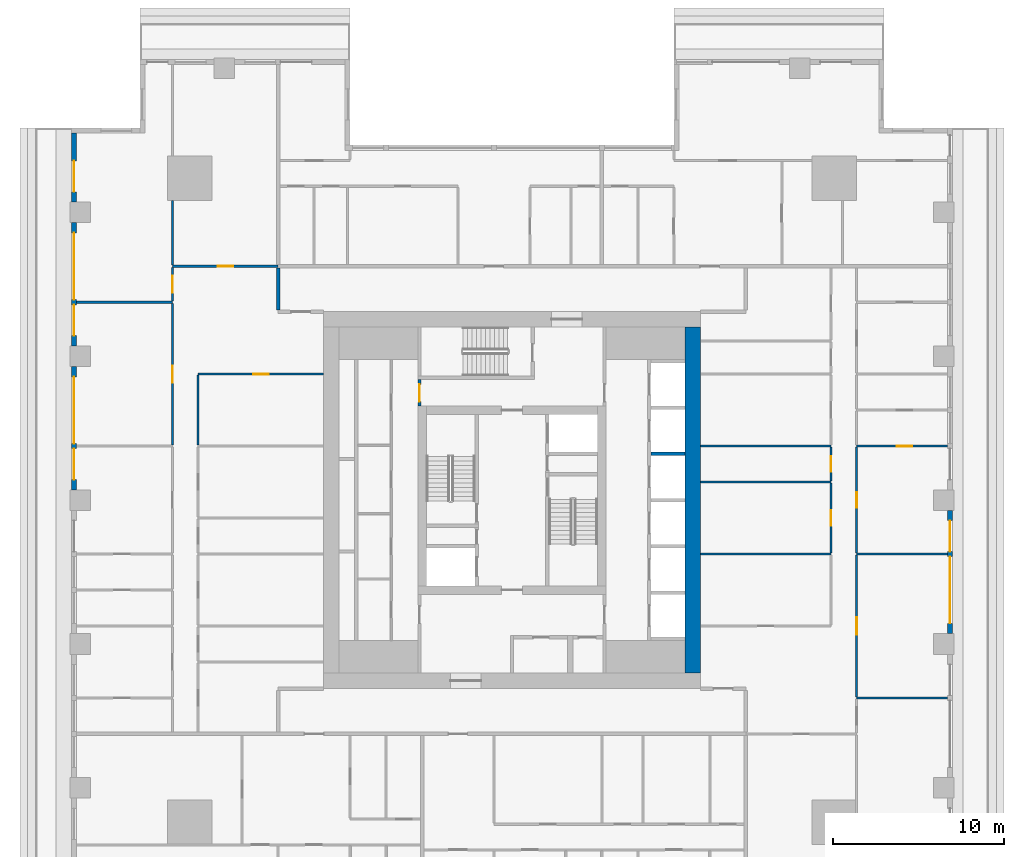
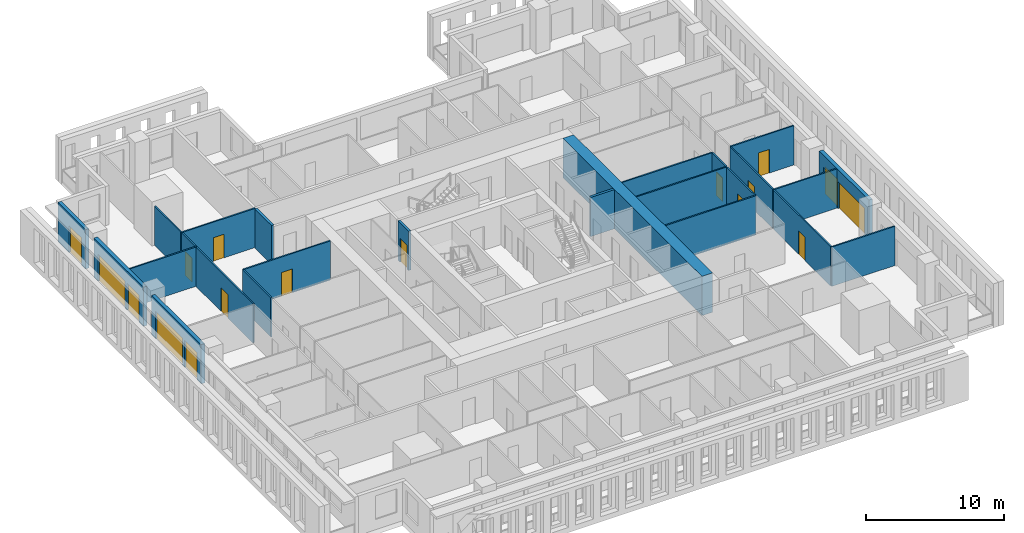
# One storey, part 6 of 15: 25 walls, 17 doors, 17 openings.
"""IFC4 building model written with IfcOpenShell, lengths in metres."""

from ifc_helpers import new_model, si_unit, direction, frame, frame_2d, origin, place, context, subcontext, project, spatial, rectangle, extrude, material, layer, layer_set, type_object, element, fill, save


model = new_model("IFC4")

# Units and contexts
model_context = context("Model", 3, precision=1e-05, world=origin(), true_north=direction((0.0, 1.0)))
body_context = subcontext(model_context, "Body", "Model", "MODEL_VIEW")
ifc_project = project(units=[si_unit("LENGTHUNIT", "METRE"), si_unit("AREAUNIT", "SQUARE_METRE"), si_unit("VOLUMEUNIT", "CUBIC_METRE"), si_unit("PLANEANGLEUNIT", "RADIAN"), si_unit("MASSUNIT", "GRAM", prefix="KILO")], contexts=[model_context])

# Site, building, storey
site_placement = place(None, origin())
site = spatial("IfcSite", under=ifc_project, at=site_placement, CompositionType="ELEMENT")
building_placement = place(site_placement, origin())
building = spatial("IfcBuilding", under=site, at=building_placement, Name="Khepri Terraces", CompositionType="ELEMENT")
storey_placement = place(building_placement, frame((0.0, 0.0, 161.10009765625)))
storey = spatial("IfcBuildingStorey", under=building, at=storey_placement, Name="L38", CompositionType="ELEMENT", Elevation=161.10009765625)

# Walls
ifc_material_1 = material(Name="Concrete C60/75", Category="concrete")
ifc_layer_1 = layer(ifc_material_1, 0.199951171875, Name="Concrete C60/75", Category="concrete")
ifc_layer_set_1 = layer_set([ifc_layer_1], Name="Concrete C60/75")
wall_type_1 = type_object("IfcWallType", Name="Core wall 200 C60/75", PredefinedType="SHEAR", material=ifc_layer_set_1)
wall_1_placement = place(storey_placement, frame((8.10009765625, 2.699951171875, 0.0), z_axis=(0.0, 0.0, 1.0), x_axis=(1.0, 0.0, 0.0)))
element("IfcWall", 1, at=wall_1_placement, inside=storey, type_object=wall_type_1, Name="Core wall SH13 L38", PredefinedType="SHEAR", context=body_context, shape_type="SweptSolid", body=[
    extrude(rectangle(XDim=2.0, YDim=0.199951171875, at=frame_2d((1.0, 0.0))), origin(), (0.0, 0.0, 1.0), 3.47998046875),
])
ifc_layer_2 = layer(ifc_material_1, 0.89990234375, Name="Concrete C60/75", Category="concrete")
ifc_layer_set_2 = layer_set([ifc_layer_2], Name="Concrete C60/75")
wall_type_2 = type_object("IfcWallType", Name="Core wall 900 C60/75", PredefinedType="SHEAR", material=ifc_layer_set_2)
wall_2_placement = place(storey_placement, frame((10.550048828125, -10.10009765625, 0.0), z_axis=(0.0, 0.0, 1.0), x_axis=(0.0, 1.0, 0.0)))
element("IfcWall", 2, at=wall_2_placement, inside=storey, type_object=wall_type_2, Name="Core wall OW-E L38", PredefinedType="SHEAR", context=body_context, shape_type="SweptSolid", body=[
    extrude(rectangle(XDim=20.2001953125, YDim=0.89990234375, at=frame_2d((10.10009765625, 0.0))), origin(), (0.0, 0.0, 1.0), 3.47998046875),
])

# Wall, opening, door
ifc_material_2 = material(Name="Fire-rated gypsum board partition")
ifc_layer_3 = layer(ifc_material_2, 0.199951171875, Name="Fire-rated gypsum board partition")
ifc_layer_set_3 = layer_set([ifc_layer_3], Name="Fire-rated gypsum board partition")
wall_type_3 = type_object("IfcWallType", Name="WL-CORE-PART-200", PredefinedType="PARTITIONING", material=ifc_layer_set_3)
wall_3_placement = place(storey_placement, frame((-5.39990234375, 5.5, 0.0), z_axis=(0.0, 0.0, 1.0), x_axis=(0.0, 1.0, 0.0)))
wall_3 = element("IfcWall", 3, at=wall_3_placement, inside=storey, type_object=wall_type_3, Name="Core partition PT11 L38", PredefinedType="PARTITIONING", context=body_context, shape_type="SweptSolid", body=[
    extrude(rectangle(XDim=1.550048828125, YDim=0.199951171875, at=frame_2d((0.77490234375, 0.0))), origin(), (0.0, 0.0, 1.0), 3.47998046875),
])
opening_1_placement = place(wall_3_placement, frame((0.25, 0.0, 0.0)))
opening_1 = element("IfcOpeningElement", 4, at=opening_1_placement, cuts=wall_3, Name="Opening L38-C16", PredefinedType="OPENING", context=body_context, shape_type="SweptSolid", body=[
    extrude(rectangle(XDim=1.0, YDim=2.10009765625, at=frame_2d((0.5, 1.050048828125))), frame((0.0, 0.10986328125, 0.0), z_axis=(0.0, -1.0, 0.0), x_axis=(1.0, 0.0, 0.0)), (0.0, 0.0, 1.0), 0.219970703125),
])
ifc_material_3 = material(Name="Painted steel", Category="steel")
door_type_1 = type_object("IfcDoorType", Name="DR-CORE-LOBBY-1000", OperationType="NOTDEFINED", PredefinedType="DOOR", material=ifc_material_3)
door_1_placement = place(opening_1_placement, frame((1.0, 0.0, 0.0), z_axis=(0.0, 0.0, 1.0), x_axis=(-1.0, 0.0, 0.0)))
door_1 = element("IfcDoor", 5, at=door_1_placement, inside=storey, type_object=door_type_1, Name="Lobby door L38-C16", OperationType="SINGLE_SWING_RIGHT", OverallHeight=2.10009765625, OverallWidth=1.0, PredefinedType="DOOR", context=body_context, shape_type="SweptSolid", body=[
    extrude(rectangle(XDim=1.0, YDim=2.10009765625, at=frame_2d((0.5, 1.050048828125))), frame((0.0, 0.02490234375, 0.0), z_axis=(0.0, -1.0, 0.0), x_axis=(1.0, 0.0, 0.0)), (0.0, 0.0, 1.0), 0.050048828125),
])
fill(opening_1, door_1)

# Wall
ifc_material_4 = material(Name="Fire-rated gypsum plasterboard partition, mineral wool")
ifc_layer_4 = layer(ifc_material_4, 0.199951171875, Name="Fire-rated gypsum plasterboard partition, mineral wool")
ifc_layer_set_4 = layer_set([ifc_layer_4], Name="Fire-rated gypsum plasterboard partition, mineral wool")
wall_type_4 = type_object("IfcWallType", Name="WL-CORR-200", PredefinedType="PARTITIONING", material=ifc_layer_set_4)
wall_4_placement = place(storey_placement, frame((-13.64990234375, 11.10009765625, 0.0), z_axis=(0.0, 0.0, 1.0), x_axis=(0.0, 1.0, 0.0)))
element("IfcWall", 6, at=wall_4_placement, inside=storey, type_object=wall_type_4, Name="Partition P-077 L38", PredefinedType="PARTITIONING", context=body_context, shape_type="SweptSolid", body=[
    extrude(rectangle(XDim=2.449951171875, YDim=0.199951171875, at=frame_2d((1.22509765625, 0.0))), origin(), (0.0, 0.0, 1.0), 3.47998046875),
])

# Wall, openings, doors
ifc_material_5 = material(Name="Precast concrete C50/60 warm stone", Category="masonry")
ifc_layer_5 = layer(ifc_material_5, 0.300048828125, Name="Precast concrete C50/60 warm stone", Category="masonry")
ifc_layer_set_5 = layer_set([ifc_layer_5], Name="Precast concrete C50/60 warm stone")
wall_type_5 = type_object("IfcWallType", Name="WL-EXT-PRECAST-300", PredefinedType="STANDARD", material=ifc_layer_set_5)
wall_5_placement = place(storey_placement, frame((25.570068359375, -7.800048828125, 0.0), z_axis=(0.0, 0.0, 1.0), x_axis=(0.0, 1.0, 0.0)))
wall_5 = element("IfcWall", 7, at=wall_5_placement, inside=storey, type_object=wall_type_5, Name="External wall L38 E", PredefinedType="STANDARD", context=body_context, shape_type="SweptSolid", body=[
    extrude(rectangle(XDim=7.199951171875, YDim=0.300048828125, at=frame_2d((3.60009765625, 0.0))), origin(), (0.0, 0.0, 1.0), 3.47998046875),
])
opening_2_placement = place(wall_5_placement, frame((0.60009765625, 0.0, 0.0)))
opening_2 = element("IfcOpeningElement", 8, at=opening_2_placement, cuts=wall_5, Name="Opening ED-L38-04", PredefinedType="OPENING", context=body_context, shape_type="SweptSolid", body=[
    extrude(rectangle(XDim=3.89990234375, YDim=2.39990234375, at=frame_2d((1.949951171875, 1.199951171875))), frame((0.0, 0.16015625, 0.0), z_axis=(0.0, -1.0, 0.0), x_axis=(1.0, 0.0, 0.0)), (0.0, 0.0, 1.0), 0.320068359375),
])
opening_3_placement = place(wall_5_placement, frame((4.800048828125, 0.0, 0.0)))
opening_3 = element("IfcOpeningElement", 9, at=opening_3_placement, cuts=wall_5, Name="Opening ED-L38-05", PredefinedType="OPENING", context=body_context, shape_type="SweptSolid", body=[
    extrude(rectangle(XDim=1.800048828125, YDim=2.39990234375, at=frame_2d((0.89990234375, 1.199951171875))), frame((0.0, 0.16015625, 0.0), z_axis=(0.0, -1.0, 0.0), x_axis=(1.0, 0.0, 0.0)), (0.0, 0.0, 1.0), 0.320068359375),
])
ifc_material_6 = material(Name="Anodised aluminium bronze glazed door", Category="aluminium")
door_type_2 = type_object("IfcDoorType", Name="DR-BAL-SLIDE-1800x2400", OperationType="NOTDEFINED", PredefinedType="DOOR", material=ifc_material_6)
door_2_placement = place(opening_3_placement, origin())
door_2 = element("IfcDoor", 10, at=door_2_placement, inside=storey, type_object=door_type_2, Name="Balcony door L38 E", OperationType="SLIDING_TO_RIGHT", OverallHeight=2.39990234375, OverallWidth=1.800048828125, PredefinedType="DOOR", context=body_context, shape_type="SweptSolid", body=[
    extrude(rectangle(XDim=1.800048828125, YDim=2.39990234375, at=frame_2d((0.89990234375, 1.199951171875))), frame((0.0, 0.02490234375, 0.0), z_axis=(0.0, -1.0, 0.0), x_axis=(1.0, 0.0, 0.0)), (0.0, 0.0, 1.0), 0.050048828125),
])
fill(opening_3, door_2)
door_type_3 = type_object("IfcDoorType", Name="DR-BAL-SLIDE-3900x2400", OperationType="NOTDEFINED", PredefinedType="DOOR", material=ifc_material_6)
door_3_placement = place(opening_2_placement, origin())
door_3 = element("IfcDoor", 11, at=door_3_placement, inside=storey, type_object=door_type_3, Name="Balcony door L38 E", OperationType="SLIDING_TO_LEFT", OverallHeight=2.39990234375, OverallWidth=3.89990234375, PredefinedType="DOOR", context=body_context, shape_type="SweptSolid", body=[
    extrude(rectangle(XDim=3.89990234375, YDim=2.39990234375, at=frame_2d((1.949951171875, 1.199951171875))), frame((0.0, 0.02490234375, 0.0), z_axis=(0.0, -1.0, 0.0), x_axis=(1.0, 0.0, 0.0)), (0.0, 0.0, 1.0), 0.050048828125),
])
fill(opening_2, door_3)

# Wall, opening, door
wall_6_placement = place(storey_placement, frame((-25.570068359375, 21.419921875, 0.0), z_axis=(0.0, 0.0, 1.0), x_axis=(0.0, -1.0, 0.0)))
wall_6 = element("IfcWall", 12, at=wall_6_placement, inside=storey, type_object=wall_type_5, Name="External wall L38 W", PredefinedType="STANDARD", context=body_context, shape_type="SweptSolid", body=[
    extrude(rectangle(XDim=4.02001953125, YDim=0.300048828125, at=frame_2d((2.010009765625, 0.0))), origin(), (0.0, 0.0, 1.0), 3.47998046875),
])
opening_4_placement = place(wall_6_placement, frame((1.6201171875, 0.0, 0.0)))
opening_4 = element("IfcOpeningElement", 13, at=opening_4_placement, cuts=wall_6, Name="Opening ED-L38-12", PredefinedType="OPENING", context=body_context, shape_type="SweptSolid", body=[
    extrude(rectangle(XDim=1.800048828125, YDim=2.39990234375, at=frame_2d((0.89990234375, 1.199951171875))), frame((0.0, 0.16015625, 0.0), z_axis=(0.0, -1.0, 0.0), x_axis=(1.0, 0.0, 0.0)), (0.0, 0.0, 1.0), 0.320068359375),
])
door_4_placement = place(opening_4_placement, origin())
door_4 = element("IfcDoor", 14, at=door_4_placement, inside=storey, type_object=door_type_2, Name="Balcony door L38 W", OperationType="SLIDING_TO_RIGHT", OverallHeight=2.39990234375, OverallWidth=1.800048828125, PredefinedType="DOOR", context=body_context, shape_type="SweptSolid", body=[
    extrude(rectangle(XDim=1.800048828125, YDim=2.39990234375, at=frame_2d((0.89990234375, 1.199951171875))), frame((0.0, 0.02490234375, 0.0), z_axis=(0.0, -1.0, 0.0), x_axis=(1.0, 0.0, 0.0)), (0.0, 0.0, 1.0), 0.050048828125),
])
fill(opening_4, door_4)

# Wall, openings, doors
wall_7_placement = place(storey_placement, frame((-25.570068359375, 16.199951171875, 0.0), z_axis=(0.0, 0.0, 1.0), x_axis=(0.0, -1.0, 0.0)))
wall_7 = element("IfcWall", 15, at=wall_7_placement, inside=storey, type_object=wall_type_5, Name="External wall L38 W", PredefinedType="STANDARD", context=body_context, shape_type="SweptSolid", body=[
    extrude(rectangle(XDim=7.199951171875, YDim=0.300048828125, at=frame_2d((3.60009765625, 0.0))), origin(), (0.0, 0.0, 1.0), 3.47998046875),
])
opening_5_placement = place(wall_7_placement, frame((0.60009765625, 0.0, 0.0)))
opening_5 = element("IfcOpeningElement", 16, at=opening_5_placement, cuts=wall_7, Name="Opening ED-L38-13", PredefinedType="OPENING", context=body_context, shape_type="SweptSolid", body=[
    extrude(rectangle(XDim=3.89990234375, YDim=2.39990234375, at=frame_2d((1.949951171875, 1.199951171875))), frame((0.0, 0.16015625, 0.0), z_axis=(0.0, -1.0, 0.0), x_axis=(1.0, 0.0, 0.0)), (0.0, 0.0, 1.0), 0.320068359375),
])
opening_6_placement = place(wall_7_placement, frame((4.800048828125, 0.0, 0.0)))
opening_6 = element("IfcOpeningElement", 17, at=opening_6_placement, cuts=wall_7, Name="Opening ED-L38-14", PredefinedType="OPENING", context=body_context, shape_type="SweptSolid", body=[
    extrude(rectangle(XDim=1.800048828125, YDim=2.39990234375, at=frame_2d((0.89990234375, 1.199951171875))), frame((0.0, 0.16015625, 0.0), z_axis=(0.0, -1.0, 0.0), x_axis=(1.0, 0.0, 0.0)), (0.0, 0.0, 1.0), 0.320068359375),
])
door_5_placement = place(opening_6_placement, origin())
door_5 = element("IfcDoor", 18, at=door_5_placement, inside=storey, type_object=door_type_2, Name="Balcony door L38 W", OperationType="SLIDING_TO_RIGHT", OverallHeight=2.39990234375, OverallWidth=1.800048828125, PredefinedType="DOOR", context=body_context, shape_type="SweptSolid", body=[
    extrude(rectangle(XDim=1.800048828125, YDim=2.39990234375, at=frame_2d((0.89990234375, 1.199951171875))), frame((0.0, 0.02490234375, 0.0), z_axis=(0.0, -1.0, 0.0), x_axis=(1.0, 0.0, 0.0)), (0.0, 0.0, 1.0), 0.050048828125),
])
fill(opening_6, door_5)
door_6_placement = place(opening_5_placement, origin())
door_6 = element("IfcDoor", 19, at=door_6_placement, inside=storey, type_object=door_type_3, Name="Balcony door L38 W", OperationType="SLIDING_TO_LEFT", OverallHeight=2.39990234375, OverallWidth=3.89990234375, PredefinedType="DOOR", context=body_context, shape_type="SweptSolid", body=[
    extrude(rectangle(XDim=3.89990234375, YDim=2.39990234375, at=frame_2d((1.949951171875, 1.199951171875))), frame((0.0, 0.02490234375, 0.0), z_axis=(0.0, -1.0, 0.0), x_axis=(1.0, 0.0, 0.0)), (0.0, 0.0, 1.0), 0.050048828125),
])
fill(opening_5, door_6)

wall_8_placement = place(storey_placement, frame((-25.570068359375, 7.800048828125, 0.0), z_axis=(0.0, 0.0, 1.0), x_axis=(0.0, -1.0, 0.0)))
wall_8 = element("IfcWall", 20, at=wall_8_placement, inside=storey, type_object=wall_type_5, Name="External wall L38 W", PredefinedType="STANDARD", context=body_context, shape_type="SweptSolid", body=[
    extrude(rectangle(XDim=7.199951171875, YDim=0.300048828125, at=frame_2d((3.60009765625, 0.0))), origin(), (0.0, 0.0, 1.0), 3.47998046875),
])
opening_7_placement = place(wall_8_placement, frame((0.60009765625, 0.0, 0.0)))
opening_7 = element("IfcOpeningElement", 21, at=opening_7_placement, cuts=wall_8, Name="Opening ED-L38-15", PredefinedType="OPENING", context=body_context, shape_type="SweptSolid", body=[
    extrude(rectangle(XDim=3.89990234375, YDim=2.39990234375, at=frame_2d((1.949951171875, 1.199951171875))), frame((0.0, 0.16015625, 0.0), z_axis=(0.0, -1.0, 0.0), x_axis=(1.0, 0.0, 0.0)), (0.0, 0.0, 1.0), 0.320068359375),
])
opening_8_placement = place(wall_8_placement, frame((4.800048828125, 0.0, 0.0)))
opening_8 = element("IfcOpeningElement", 22, at=opening_8_placement, cuts=wall_8, Name="Opening ED-L38-16", PredefinedType="OPENING", context=body_context, shape_type="SweptSolid", body=[
    extrude(rectangle(XDim=1.800048828125, YDim=2.39990234375, at=frame_2d((0.89990234375, 1.199951171875))), frame((0.0, 0.16015625, 0.0), z_axis=(0.0, -1.0, 0.0), x_axis=(1.0, 0.0, 0.0)), (0.0, 0.0, 1.0), 0.320068359375),
])
door_7_placement = place(opening_8_placement, origin())
door_7 = element("IfcDoor", 23, at=door_7_placement, inside=storey, type_object=door_type_2, Name="Balcony door L38 W", OperationType="SLIDING_TO_RIGHT", OverallHeight=2.39990234375, OverallWidth=1.800048828125, PredefinedType="DOOR", context=body_context, shape_type="SweptSolid", body=[
    extrude(rectangle(XDim=1.800048828125, YDim=2.39990234375, at=frame_2d((0.89990234375, 1.199951171875))), frame((0.0, 0.02490234375, 0.0), z_axis=(0.0, -1.0, 0.0), x_axis=(1.0, 0.0, 0.0)), (0.0, 0.0, 1.0), 0.050048828125),
])
fill(opening_8, door_7)
door_8_placement = place(opening_7_placement, origin())
door_8 = element("IfcDoor", 24, at=door_8_placement, inside=storey, type_object=door_type_3, Name="Balcony door L38 W", OperationType="SLIDING_TO_LEFT", OverallHeight=2.39990234375, OverallWidth=3.89990234375, PredefinedType="DOOR", context=body_context, shape_type="SweptSolid", body=[
    extrude(rectangle(XDim=3.89990234375, YDim=2.39990234375, at=frame_2d((1.949951171875, 1.199951171875))), frame((0.0, 0.02490234375, 0.0), z_axis=(0.0, -1.0, 0.0), x_axis=(1.0, 0.0, 0.0)), (0.0, 0.0, 1.0), 0.050048828125),
])
fill(opening_7, door_8)

# Wall
ifc_material_7 = material(Name="Gypsum plasterboard partition")
ifc_layer_6 = layer(ifc_material_7, 0.1201171875, Name="Gypsum plasterboard partition")
ifc_layer_set_6 = layer_set([ifc_layer_6], Name="Gypsum plasterboard partition")
wall_type_6 = type_object("IfcWallType", Name="WL-PART-120", PredefinedType="PARTITIONING", material=ifc_layer_set_6)
wall_9_placement = place(storey_placement, frame((20.1201171875, -11.550048828125, 0.0), z_axis=(0.0, 0.0, 1.0), x_axis=(1.0, 0.0, 0.0)))
element("IfcWall", 25, at=wall_9_placement, inside=storey, type_object=wall_type_6, Name="Partition P-031 L38", PredefinedType="PARTITIONING", context=body_context, shape_type="SweptSolid", body=[
    extrude(rectangle(XDim=5.2998046875, YDim=0.1201171875, at=frame_2d((2.64990234375, 0.0))), origin(), (0.0, 0.0, 1.0), 3.47998046875),
])

# Wall, opening, door
wall_10_placement = place(storey_placement, frame((20.1201171875, -11.489990234375, 0.0), z_axis=(0.0, 0.0, 1.0), x_axis=(0.0, 1.0, 0.0)))
wall_10 = element("IfcWall", 26, at=wall_10_placement, inside=storey, type_object=wall_type_6, Name="Partition P-033 L38", PredefinedType="PARTITIONING", context=body_context, shape_type="SweptSolid", body=[
    extrude(rectangle(XDim=8.280029296875, YDim=0.1201171875, at=frame_2d((4.14013671875, 0.0))), origin(), (0.0, 0.0, 1.0), 3.47998046875),
])
opening_9_placement = place(wall_10_placement, frame((3.639892578125, 0.0, 0.0)))
opening_9 = element("IfcOpeningElement", 27, at=opening_9_placement, cuts=wall_10, Name="Opening D2", PredefinedType="OPENING", context=body_context, shape_type="SweptSolid", body=[
    extrude(rectangle(XDim=1.0, YDim=2.10009765625, at=frame_2d((0.5, 1.050048828125))), frame((0.0, 0.070068359375, 0.0), z_axis=(0.0, -1.0, 0.0), x_axis=(1.0, 0.0, 0.0)), (0.0, 0.0, 1.0), 0.14013671875),
])
ifc_material_8 = material(Name="Timber door leaf, living room door", Category="wood")
door_type_4 = type_object("IfcDoorType", Name="DR-INT-1000", OperationType="NOTDEFINED", PredefinedType="DOOR", material=ifc_material_8)
door_9_placement = place(opening_9_placement, frame((1.0, 0.0, 0.0), z_axis=(0.0, 0.0, 1.0), x_axis=(-1.0, 0.0, 0.0)))
door_9 = element("IfcDoor", 28, at=door_9_placement, inside=storey, type_object=door_type_4, Name="Door Living Room", OperationType="SINGLE_SWING_RIGHT", OverallHeight=2.10009765625, OverallWidth=1.0, PredefinedType="DOOR", context=body_context, shape_type="SweptSolid", body=[
    extrude(rectangle(XDim=1.0, YDim=2.10009765625, at=frame_2d((0.5, 1.050048828125))), frame((0.0, 0.02490234375, 0.0), z_axis=(0.0, -1.0, 0.0), x_axis=(1.0, 0.0, 0.0)), (0.0, 0.0, 1.0), 0.050048828125),
])
fill(opening_9, door_9)

# Walls
wall_11_placement = place(storey_placement, frame((11.0, -3.14990234375, 0.0), z_axis=(0.0, 0.0, 1.0), x_axis=(1.0, 0.0, 0.0)))
element("IfcWall", 29, at=wall_11_placement, inside=storey, type_object=wall_type_6, Name="Partition P-048 L38", PredefinedType="PARTITIONING", context=body_context, shape_type="SweptSolid", body=[
    extrude(rectangle(XDim=7.6201171875, YDim=0.1201171875, at=frame_2d((3.81005859375, 0.0))), origin(), (0.0, 0.0, 1.0), 3.47998046875),
])
wall_12_placement = place(storey_placement, frame((20.1201171875, -3.14990234375, 0.0), z_axis=(0.0, 0.0, 1.0), x_axis=(1.0, 0.0, 0.0)))
element("IfcWall", 30, at=wall_12_placement, inside=storey, type_object=wall_type_6, Name="Partition P-049 L38", PredefinedType="PARTITIONING", context=body_context, shape_type="SweptSolid", body=[
    extrude(rectangle(XDim=5.2998046875, YDim=0.1201171875, at=frame_2d((2.64990234375, 0.0))), origin(), (0.0, 0.0, 1.0), 3.47998046875),
])

# Wall, opening, door
wall_13_placement = place(storey_placement, frame((18.6201171875, -3.090087890625, 0.0), z_axis=(0.0, 0.0, 1.0), x_axis=(0.0, 1.0, 0.0)))
wall_13 = element("IfcWall", 31, at=wall_13_placement, inside=storey, type_object=wall_type_6, Name="Partition P-052 L38", PredefinedType="PARTITIONING", context=body_context, shape_type="SweptSolid", body=[
    extrude(rectangle(XDim=4.080078125, YDim=0.1201171875, at=frame_2d((2.0400390625, 0.0))), origin(), (0.0, 0.0, 1.0), 3.47998046875),
])
opening_10_placement = place(wall_13_placement, frame((1.590087890625, 0.0, 0.0)))
opening_10 = element("IfcOpeningElement", 32, at=opening_10_placement, cuts=wall_13, Name="Opening D3", PredefinedType="OPENING", context=body_context, shape_type="SweptSolid", body=[
    extrude(rectangle(XDim=0.89990234375, YDim=2.10009765625, at=frame_2d((0.449951171875, 1.050048828125))), frame((0.0, 0.070068359375, 0.0), z_axis=(0.0, -1.0, 0.0), x_axis=(1.0, 0.0, 0.0)), (0.0, 0.0, 1.0), 0.14013671875),
])
ifc_material_9 = material(Name="Timber door leaf", Category="wood")
door_type_5 = type_object("IfcDoorType", Name="DR-INT-900", OperationType="NOTDEFINED", PredefinedType="DOOR", material=ifc_material_9)
door_10_placement = place(opening_10_placement, origin())
door_10 = element("IfcDoor", 33, at=door_10_placement, inside=storey, type_object=door_type_5, Name="Door Utility Room", OperationType="SINGLE_SWING_RIGHT", OverallHeight=2.10009765625, OverallWidth=0.89990234375, PredefinedType="DOOR", context=body_context, shape_type="SweptSolid", body=[
    extrude(rectangle(XDim=0.89990234375, YDim=2.10009765625, at=frame_2d((0.449951171875, 1.050048828125))), frame((0.0, 0.02490234375, 0.0), z_axis=(0.0, -1.0, 0.0), x_axis=(1.0, 0.0, 0.0)), (0.0, 0.0, 1.0), 0.050048828125),
])
fill(opening_10, door_10)

wall_14_placement = place(storey_placement, frame((20.1201171875, -3.090087890625, 0.0), z_axis=(0.0, 0.0, 1.0), x_axis=(0.0, 1.0, 0.0)))
wall_14 = element("IfcWall", 34, at=wall_14_placement, inside=storey, type_object=wall_type_6, Name="Partition P-053 L38", PredefinedType="PARTITIONING", context=body_context, shape_type="SweptSolid", body=[
    extrude(rectangle(XDim=6.18017578125, YDim=0.1201171875, at=frame_2d((3.090087890625, 0.0))), origin(), (0.0, 0.0, 1.0), 3.47998046875),
])
opening_11_placement = place(wall_14_placement, frame((2.639892578125, 0.0, 0.0)))
opening_11 = element("IfcOpeningElement", 35, at=opening_11_placement, cuts=wall_14, Name="Opening D3", PredefinedType="OPENING", context=body_context, shape_type="SweptSolid", body=[
    extrude(rectangle(XDim=0.89990234375, YDim=2.10009765625, at=frame_2d((0.449951171875, 1.050048828125))), frame((0.0, 0.070068359375, 0.0), z_axis=(0.0, -1.0, 0.0), x_axis=(1.0, 0.0, 0.0)), (0.0, 0.0, 1.0), 0.14013671875),
])
door_11_placement = place(opening_11_placement, frame((0.89990234375, 0.0, 0.0), z_axis=(0.0, 0.0, 1.0), x_axis=(-1.0, 0.0, 0.0)))
door_11 = element("IfcDoor", 36, at=door_11_placement, inside=storey, type_object=door_type_5, Name="Door Master Bedroom", OperationType="SINGLE_SWING_LEFT", OverallHeight=2.10009765625, OverallWidth=0.89990234375, PredefinedType="DOOR", context=body_context, shape_type="SweptSolid", body=[
    extrude(rectangle(XDim=0.89990234375, YDim=2.10009765625, at=frame_2d((0.449951171875, 1.050048828125))), frame((0.0, 0.02490234375, 0.0), z_axis=(0.0, -1.0, 0.0), x_axis=(1.0, 0.0, 0.0)), (0.0, 0.0, 1.0), 0.050048828125),
])
fill(opening_11, door_11)

# Wall
wall_15_placement = place(storey_placement, frame((11.0, 1.050048828125, 0.0), z_axis=(0.0, 0.0, 1.0), x_axis=(1.0, 0.0, 0.0)))
element("IfcWall", 37, at=wall_15_placement, inside=storey, type_object=wall_type_6, Name="Partition P-056 L38", PredefinedType="PARTITIONING", context=body_context, shape_type="SweptSolid", body=[
    extrude(rectangle(XDim=7.6201171875, YDim=0.1201171875, at=frame_2d((3.81005859375, 0.0))), origin(), (0.0, 0.0, 1.0), 3.47998046875),
])

# Wall, opening, door
wall_16_placement = place(storey_placement, frame((18.6201171875, 1.110107421875, 0.0), z_axis=(0.0, 0.0, 1.0), x_axis=(0.0, 1.0, 0.0)))
wall_16 = element("IfcWall", 38, at=wall_16_placement, inside=storey, type_object=wall_type_6, Name="Partition P-057 L38", PredefinedType="PARTITIONING", context=body_context, shape_type="SweptSolid", body=[
    extrude(rectangle(XDim=1.97998046875, YDim=0.1201171875, at=frame_2d((0.989990234375, 0.0))), origin(), (0.0, 0.0, 1.0), 3.47998046875),
])
opening_12_placement = place(wall_16_placement, frame((0.5400390625, 0.0, 0.0)))
opening_12 = element("IfcOpeningElement", 39, at=opening_12_placement, cuts=wall_16, Name="Opening D4", PredefinedType="OPENING", context=body_context, shape_type="SweptSolid", body=[
    extrude(rectangle(XDim=0.89990234375, YDim=2.10009765625, at=frame_2d((0.449951171875, 1.050048828125))), frame((0.0, 0.070068359375, 0.0), z_axis=(0.0, -1.0, 0.0), x_axis=(1.0, 0.0, 0.0)), (0.0, 0.0, 1.0), 0.14013671875),
])
ifc_material_10 = material(Name="Timber door leaf, moisture resistant", Category="wood")
door_type_6 = type_object("IfcDoorType", Name="DR-WET-900", OperationType="NOTDEFINED", PredefinedType="DOOR", material=ifc_material_10)
door_12_placement = place(opening_12_placement, origin())
door_12 = element("IfcDoor", 40, at=door_12_placement, inside=storey, type_object=door_type_6, Name="Door Powder Room", OperationType="SINGLE_SWING_RIGHT", OverallHeight=2.10009765625, OverallWidth=0.89990234375, PredefinedType="DOOR", context=body_context, shape_type="SweptSolid", body=[
    extrude(rectangle(XDim=0.89990234375, YDim=2.10009765625, at=frame_2d((0.449951171875, 1.050048828125))), frame((0.0, 0.02490234375, 0.0), z_axis=(0.0, -1.0, 0.0), x_axis=(1.0, 0.0, 0.0)), (0.0, 0.0, 1.0), 0.050048828125),
])
fill(opening_12, door_12)

# Wall
wall_17_placement = place(storey_placement, frame((11.0, 3.14990234375, 0.0), z_axis=(0.0, 0.0, 1.0), x_axis=(1.0, 0.0, 0.0)))
element("IfcWall", 41, at=wall_17_placement, inside=storey, type_object=wall_type_6, Name="Partition P-060 L38", PredefinedType="PARTITIONING", context=body_context, shape_type="SweptSolid", body=[
    extrude(rectangle(XDim=7.6201171875, YDim=0.1201171875, at=frame_2d((3.81005859375, 0.0))), origin(), (0.0, 0.0, 1.0), 3.47998046875),
])

# Wall, opening, door
wall_18_placement = place(storey_placement, frame((20.1201171875, 3.14990234375, 0.0), z_axis=(0.0, 0.0, 1.0), x_axis=(1.0, 0.0, 0.0)))
wall_18 = element("IfcWall", 42, at=wall_18_placement, inside=storey, type_object=wall_type_6, Name="Partition P-061 L38", PredefinedType="PARTITIONING", context=body_context, shape_type="SweptSolid", body=[
    extrude(rectangle(XDim=5.2998046875, YDim=0.1201171875, at=frame_2d((2.64990234375, 0.0))), origin(), (0.0, 0.0, 1.0), 3.47998046875),
])
opening_13_placement = place(wall_18_placement, frame((2.35009765625, 0.0, 0.0)))
opening_13 = element("IfcOpeningElement", 43, at=opening_13_placement, cuts=wall_18, Name="Opening D3", PredefinedType="OPENING", context=body_context, shape_type="SweptSolid", body=[
    extrude(rectangle(XDim=0.89990234375, YDim=2.10009765625, at=frame_2d((0.449951171875, 1.050048828125))), frame((0.0, 0.070068359375, 0.0), z_axis=(0.0, -1.0, 0.0), x_axis=(1.0, 0.0, 0.0)), (0.0, 0.0, 1.0), 0.14013671875),
])
door_13_placement = place(opening_13_placement, origin())
door_13 = element("IfcDoor", 44, at=door_13_placement, inside=storey, type_object=door_type_5, Name="Door Dressing Room", OperationType="SINGLE_SWING_RIGHT", OverallHeight=2.10009765625, OverallWidth=0.89990234375, PredefinedType="DOOR", context=body_context, shape_type="SweptSolid", body=[
    extrude(rectangle(XDim=0.89990234375, YDim=2.10009765625, at=frame_2d((0.449951171875, 1.050048828125))), frame((0.0, 0.02490234375, 0.0), z_axis=(0.0, -1.0, 0.0), x_axis=(1.0, 0.0, 0.0)), (0.0, 0.0, 1.0), 0.050048828125),
])
fill(opening_13, door_13)

wall_19_placement = place(storey_placement, frame((-19.820068359375, 3.2099609375, 0.0), z_axis=(0.0, 0.0, 1.0), x_axis=(0.0, 1.0, 0.0)))
wall_19 = element("IfcWall", 45, at=wall_19_placement, inside=storey, type_object=wall_type_6, Name="Partition P-062 L38", PredefinedType="PARTITIONING", context=body_context, shape_type="SweptSolid", body=[
    extrude(rectangle(XDim=8.280029296875, YDim=0.1201171875, at=frame_2d((4.14013671875, 0.0))), origin(), (0.0, 0.0, 1.0), 3.47998046875),
])
opening_14_placement = place(wall_19_placement, frame((3.639892578125, 0.0, 0.0)))
opening_14 = element("IfcOpeningElement", 46, at=opening_14_placement, cuts=wall_19, Name="Opening D2", PredefinedType="OPENING", context=body_context, shape_type="SweptSolid", body=[
    extrude(rectangle(XDim=1.0, YDim=2.10009765625, at=frame_2d((0.5, 1.050048828125))), frame((0.0, 0.070068359375, 0.0), z_axis=(0.0, -1.0, 0.0), x_axis=(1.0, 0.0, 0.0)), (0.0, 0.0, 1.0), 0.14013671875),
])
door_14_placement = place(opening_14_placement, origin())
door_14 = element("IfcDoor", 47, at=door_14_placement, inside=storey, type_object=door_type_4, Name="Door Living Room", OperationType="SINGLE_SWING_RIGHT", OverallHeight=2.10009765625, OverallWidth=1.0, PredefinedType="DOOR", context=body_context, shape_type="SweptSolid", body=[
    extrude(rectangle(XDim=1.0, YDim=2.10009765625, at=frame_2d((0.5, 1.050048828125))), frame((0.0, 0.02490234375, 0.0), z_axis=(0.0, -1.0, 0.0), x_axis=(1.0, 0.0, 0.0)), (0.0, 0.0, 1.0), 0.050048828125),
])
fill(opening_14, door_14)

# Wall
wall_20_placement = place(storey_placement, frame((-18.320068359375, 3.2099609375, 0.0), z_axis=(0.0, 0.0, 1.0), x_axis=(0.0, 1.0, 0.0)))
element("IfcWall", 48, at=wall_20_placement, inside=storey, type_object=wall_type_6, Name="Partition P-063 L38", PredefinedType="PARTITIONING", context=body_context, shape_type="SweptSolid", body=[
    extrude(rectangle(XDim=4.080078125, YDim=0.1201171875, at=frame_2d((2.0400390625, 0.0))), origin(), (0.0, 0.0, 1.0), 3.47998046875),
])

# Wall, opening, door
wall_21_placement = place(storey_placement, frame((-18.320068359375, 7.35009765625, 0.0), z_axis=(0.0, 0.0, 1.0), x_axis=(1.0, 0.0, 0.0)))
wall_21 = element("IfcWall", 49, at=wall_21_placement, inside=storey, type_object=wall_type_6, Name="Partition P-068 L38", PredefinedType="PARTITIONING", context=body_context, shape_type="SweptSolid", body=[
    extrude(rectangle(XDim=7.320068359375, YDim=0.1201171875, at=frame_2d((3.66015625, 0.0))), origin(), (0.0, 0.0, 1.0), 3.47998046875),
])
opening_15_placement = place(wall_21_placement, frame((3.2099609375, 0.0, 0.0)))
opening_15 = element("IfcOpeningElement", 50, at=opening_15_placement, cuts=wall_21, Name="Opening D3", PredefinedType="OPENING", context=body_context, shape_type="SweptSolid", body=[
    extrude(rectangle(XDim=0.89990234375, YDim=2.10009765625, at=frame_2d((0.449951171875, 1.050048828125))), frame((0.0, 0.070068359375, 0.0), z_axis=(0.0, -1.0, 0.0), x_axis=(1.0, 0.0, 0.0)), (0.0, 0.0, 1.0), 0.14013671875),
])
door_15_placement = place(opening_15_placement, frame((0.89990234375, 0.0, 0.0), z_axis=(0.0, 0.0, 1.0), x_axis=(-1.0, 0.0, 0.0)))
door_15 = element("IfcDoor", 51, at=door_15_placement, inside=storey, type_object=door_type_5, Name="Door Kitchen", OperationType="SINGLE_SWING_LEFT", OverallHeight=2.10009765625, OverallWidth=0.89990234375, PredefinedType="DOOR", context=body_context, shape_type="SweptSolid", body=[
    extrude(rectangle(XDim=0.89990234375, YDim=2.10009765625, at=frame_2d((0.449951171875, 1.050048828125))), frame((0.0, 0.02490234375, 0.0), z_axis=(0.0, -1.0, 0.0), x_axis=(1.0, 0.0, 0.0)), (0.0, 0.0, 1.0), 0.050048828125),
])
fill(opening_15, door_15)

# Wall
wall_22_placement = place(storey_placement, frame((-25.419921875, 11.550048828125, 0.0), z_axis=(0.0, 0.0, 1.0), x_axis=(1.0, 0.0, 0.0)))
element("IfcWall", 52, at=wall_22_placement, inside=storey, type_object=wall_type_6, Name="Partition P-079 L38", PredefinedType="PARTITIONING", context=body_context, shape_type="SweptSolid", body=[
    extrude(rectangle(XDim=5.599853515625, YDim=0.1201171875, at=frame_2d((2.7998046875, 0.0))), origin(), (0.0, 0.0, 1.0), 3.47998046875),
])

# Wall, opening, door
wall_23_placement = place(storey_placement, frame((-19.820068359375, 11.610107421875, 0.0), z_axis=(0.0, 0.0, 1.0), x_axis=(0.0, 1.0, 0.0)))
wall_23 = element("IfcWall", 53, at=wall_23_placement, inside=storey, type_object=wall_type_6, Name="Partition P-081 L38", PredefinedType="PARTITIONING", context=body_context, shape_type="SweptSolid", body=[
    extrude(rectangle(XDim=1.97998046875, YDim=0.1201171875, at=frame_2d((0.989990234375, 0.0))), origin(), (0.0, 0.0, 1.0), 3.47998046875),
])
opening_16_placement = place(wall_23_placement, frame((0.489990234375, 0.0, 0.0)))
opening_16 = element("IfcOpeningElement", 54, at=opening_16_placement, cuts=wall_23, Name="Opening D2", PredefinedType="OPENING", context=body_context, shape_type="SweptSolid", body=[
    extrude(rectangle(XDim=1.0, YDim=2.10009765625, at=frame_2d((0.5, 1.050048828125))), frame((0.0, 0.070068359375, 0.0), z_axis=(0.0, -1.0, 0.0), x_axis=(1.0, 0.0, 0.0)), (0.0, 0.0, 1.0), 0.14013671875),
])
door_16_placement = place(opening_16_placement, origin())
door_16 = element("IfcDoor", 55, at=door_16_placement, inside=storey, type_object=door_type_4, Name="Door Sun Lounge", OperationType="SINGLE_SWING_RIGHT", OverallHeight=2.10009765625, OverallWidth=1.0, PredefinedType="DOOR", context=body_context, shape_type="SweptSolid", body=[
    extrude(rectangle(XDim=1.0, YDim=2.10009765625, at=frame_2d((0.5, 1.050048828125))), frame((0.0, 0.02490234375, 0.0), z_axis=(0.0, -1.0, 0.0), x_axis=(1.0, 0.0, 0.0)), (0.0, 0.0, 1.0), 0.050048828125),
])
fill(opening_16, door_16)

wall_24_placement = place(storey_placement, frame((-19.820068359375, 13.64990234375, 0.0), z_axis=(0.0, 0.0, 1.0), x_axis=(1.0, 0.0, 0.0)))
wall_24 = element("IfcWall", 56, at=wall_24_placement, inside=storey, type_object=wall_type_6, Name="Partition P-083 L38", PredefinedType="PARTITIONING", context=body_context, shape_type="SweptSolid", body=[
    extrude(rectangle(XDim=6.170166015625, YDim=0.1201171875, at=frame_2d((3.0849609375, 0.0))), origin(), (0.0, 0.0, 1.0), 3.47998046875),
])
opening_17_placement = place(wall_24_placement, frame((2.635009765625, 0.0, 0.0)))
opening_17 = element("IfcOpeningElement", 57, at=opening_17_placement, cuts=wall_24, Name="Opening D3", PredefinedType="OPENING", context=body_context, shape_type="SweptSolid", body=[
    extrude(rectangle(XDim=0.89990234375, YDim=2.10009765625, at=frame_2d((0.449951171875, 1.050048828125))), frame((0.0, 0.070068359375, 0.0), z_axis=(0.0, -1.0, 0.0), x_axis=(1.0, 0.0, 0.0)), (0.0, 0.0, 1.0), 0.14013671875),
])
door_17_placement = place(opening_17_placement, origin())
door_17 = element("IfcDoor", 58, at=door_17_placement, inside=storey, type_object=door_type_5, Name="Door Home Cinema", OperationType="SINGLE_SWING_RIGHT", OverallHeight=2.10009765625, OverallWidth=0.89990234375, PredefinedType="DOOR", context=body_context, shape_type="SweptSolid", body=[
    extrude(rectangle(XDim=0.89990234375, YDim=2.10009765625, at=frame_2d((0.449951171875, 1.050048828125))), frame((0.0, 0.02490234375, 0.0), z_axis=(0.0, -1.0, 0.0), x_axis=(1.0, 0.0, 0.0)), (0.0, 0.0, 1.0), 0.050048828125),
])
fill(opening_17, door_17)

# Wall
wall_25_placement = place(storey_placement, frame((-19.820068359375, 13.7099609375, 0.0), z_axis=(0.0, 0.0, 1.0), x_axis=(0.0, 1.0, 0.0)))
element("IfcWall", 59, at=wall_25_placement, inside=storey, type_object=wall_type_6, Name="Partition P-085 L38", PredefinedType="PARTITIONING", context=body_context, shape_type="SweptSolid", body=[
    extrude(rectangle(XDim=3.7900390625, YDim=0.1201171875, at=frame_2d((1.89501953125, 0.0))), origin(), (0.0, 0.0, 1.0), 3.47998046875),
])

save(model, "model.ifc")
